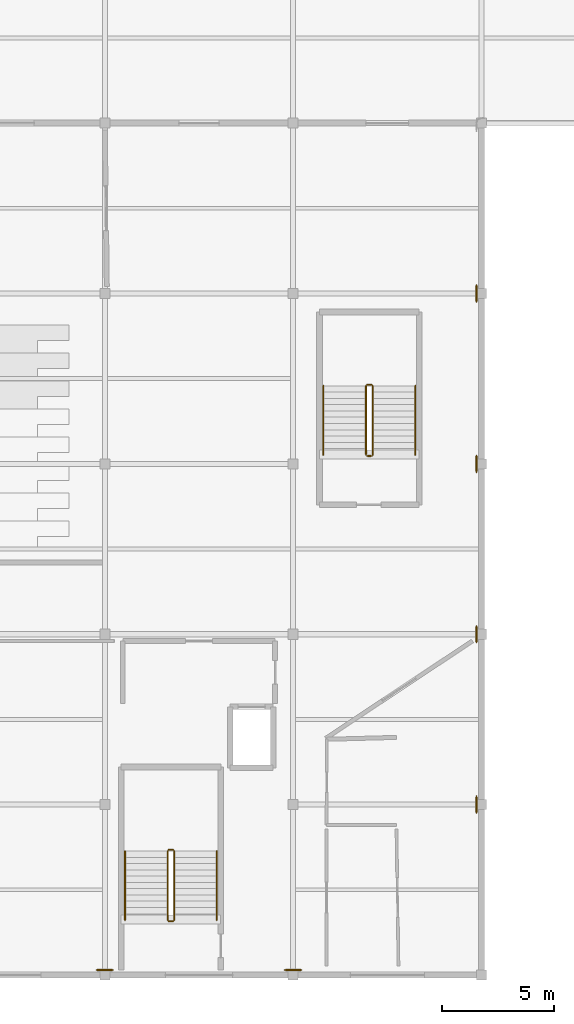
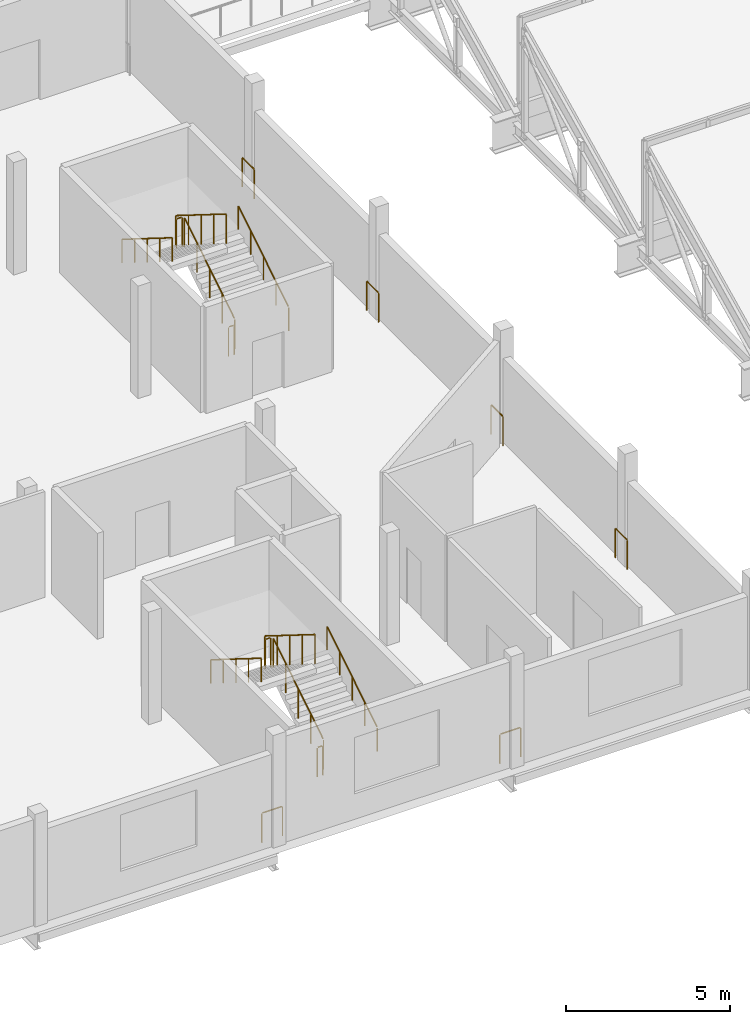
# One storey, part 56 of 57: 18 railings.
"""IFC4 building model written with IfcOpenShell, lengths in metres."""

from ifc_helpers import new_model, si_unit, direction, frame, origin, origin_2d, place, context, subcontext, project, spatial, circle, extrude, material, type_object, element, save


model = new_model("IFC4")

# Units and contexts
model_context = context("Model", 3, precision=1e-05, world=origin(), true_north=direction((0.0, 1.0)))
body_context = subcontext(model_context, "Body", "Model", "MODEL_VIEW")
ifc_project = project(units=[si_unit("LENGTHUNIT", "METRE"), si_unit("AREAUNIT", "SQUARE_METRE"), si_unit("VOLUMEUNIT", "CUBIC_METRE"), si_unit("PLANEANGLEUNIT", "RADIAN"), si_unit("MASSUNIT", "GRAM", prefix="KILO")], contexts=[model_context])

# Site, building, storey
site_placement = place(None, origin())
site = spatial("IfcSite", under=ifc_project, at=site_placement, CompositionType="ELEMENT")
building_placement = place(site_placement, origin())
building = spatial("IfcBuilding", under=site, at=building_placement, Name="Zuvorla Pavilion Media Centre", CompositionType="ELEMENT")
storey_placement = place(building_placement, frame((0.0, 0.0, 18.0)))
storey = spatial("IfcBuildingStorey", under=building, at=storey_placement, Name="L04", CompositionType="ELEMENT", Elevation=18.0)

# Railings
ifc_material_1 = material(Name="Powder-coated steel balustrade guard", Category="steel")
railing_type_1 = type_object("IfcRailingType", Name="RL-INT-GRD", PredefinedType="BALUSTRADE", material=ifc_material_1)
railing_1_placement = place(storey_placement, frame((95.10009765625, 8.449951171875, 0.175048828125)))
element("IfcRailing", 1, at=railing_1_placement, inside=storey, type_object=railing_type_1, Name="L04 ST-02 stair guard 1", PredefinedType="BALUSTRADE", context=body_context, shape_type="SweptSolid", body=[
    extrude(circle(Radius=0.02392578125, at=origin_2d()), frame((0.0, 0.0244140625, 1.111328125), z_axis=(0.0, 0.847998304005, 0.529998940003), x_axis=(-1.0, 0.0, 0.0)), (0.0, 0.0, 1.0), 3.574462890625),
    extrude(circle(Radius=0.02099609375, at=origin_2d()), origin(), (0.0, 0.0, 1.0), 1.070068359375),
    extrude(circle(Radius=0.02099609375, at=origin_2d()), frame((0.0, 0.77001953125, 0.481201171875)), (0.0, 0.0, 1.0), 1.070068359375),
    extrude(circle(Radius=0.02099609375, at=origin_2d()), frame((0.0, 1.5400390625, 0.96240234375)), (0.0, 0.0, 1.0), 1.070068359375),
    extrude(circle(Radius=0.02099609375, at=origin_2d()), frame((0.0, 2.31005859375, 1.44384765625)), (0.0, 0.0, 1.0), 1.070068359375),
    extrude(circle(Radius=0.02099609375, at=origin_2d()), frame((0.0, 3.080078125, 1.925048828125)), (0.0, 0.0, 1.0), 1.070068359375),
])
railing_2_placement = place(storey_placement, frame((95.050048828125, 11.580078125, 2.10009765625)))
element("IfcRailing", 2, at=railing_2_placement, inside=storey, type_object=railing_type_1, Name="L04 ST-02 stair guard 2", PredefinedType="BALUSTRADE", context=body_context, shape_type="SweptSolid", body=[
    extrude(circle(Radius=0.02392578125, at=origin_2d()), frame((-0.02880859375, 0.0, 1.09619140625), z_axis=(-1.0, 0.0, 0.0), x_axis=(0.0, -1.0, 0.0)), (0.0, 0.0, 1.0), 0.142333984375),
    extrude(circle(Radius=0.02099609375, at=origin_2d()), origin(), (0.0, 0.0, 1.0), 1.070068359375),
    extrude(circle(Radius=0.02099609375, at=origin_2d()), frame((-0.199951171875, 0.0, 0.0)), (0.0, 0.0, 1.0), 1.070068359375),
])
railing_3_placement = place(storey_placement, frame((94.800048828125, 11.530029296875, 2.27490234375)))
element("IfcRailing", 3, at=railing_3_placement, inside=storey, type_object=railing_type_1, Name="L04 ST-02 stair guard 3", PredefinedType="BALUSTRADE", context=body_context, shape_type="SweptSolid", body=[
    extrude(circle(Radius=0.02392578125, at=origin_2d()), frame((0.0, -0.0244140625, 1.111328125), z_axis=(0.0, -0.847998304005, 0.529998940003), x_axis=(1.0, 0.0, 0.0)), (0.0, 0.0, 1.0), 3.574462890625),
    extrude(circle(Radius=0.02099609375, at=origin_2d()), origin(), (0.0, 0.0, 1.0), 1.070068359375),
    extrude(circle(Radius=0.02099609375, at=origin_2d()), frame((0.0, -0.77001953125, 0.481201171875)), (0.0, 0.0, 1.0), 1.070068359375),
    extrude(circle(Radius=0.02099609375, at=origin_2d()), frame((0.0, -1.5400390625, 0.96240234375)), (0.0, 0.0, 1.0), 1.070068359375),
    extrude(circle(Radius=0.02099609375, at=origin_2d()), frame((0.0, -2.31005859375, 1.44384765625)), (0.0, 0.0, 1.0), 1.070068359375),
    extrude(circle(Radius=0.02099609375, at=origin_2d()), frame((0.0, -3.080078125, 1.925048828125)), (0.0, 0.0, 1.0), 1.070068359375),
])
railing_4_placement = place(storey_placement, frame((95.050048828125, 8.39990234375, 0.0)))
element("IfcRailing", 4, at=railing_4_placement, inside=storey, type_object=railing_type_1, Name="L04 ST-02 stair guard 4", PredefinedType="BALUSTRADE", context=body_context, shape_type="SweptSolid", body=[
    extrude(circle(Radius=0.02392578125, at=origin_2d()), frame((-0.02880859375, 0.0, 1.09619140625), z_axis=(-1.0, 0.0, 0.0), x_axis=(0.0, -1.0, 0.0)), (0.0, 0.0, 1.0), 0.142333984375),
    extrude(circle(Radius=0.02099609375, at=origin_2d()), origin(), (0.0, 0.0, 1.0), 1.070068359375),
    extrude(circle(Radius=0.02099609375, at=origin_2d()), frame((-0.199951171875, 0.0, 0.0)), (0.0, 0.0, 1.0), 1.070068359375),
])
railing_5_placement = place(storey_placement, frame((103.949951171875, 29.199951171875, 0.175048828125)))
element("IfcRailing", 5, at=railing_5_placement, inside=storey, type_object=railing_type_1, Name="L04 ST-04 stair guard 1", PredefinedType="BALUSTRADE", context=body_context, shape_type="SweptSolid", body=[
    extrude(circle(Radius=0.02392578125, at=origin_2d()), frame((0.0, 0.0244140625, 1.111328125), z_axis=(0.0, 0.847998304005, 0.529998940003), x_axis=(-1.0, 0.0, 0.0)), (0.0, 0.0, 1.0), 3.574462890625),
    extrude(circle(Radius=0.02099609375, at=origin_2d()), origin(), (0.0, 0.0, 1.0), 1.070068359375),
    extrude(circle(Radius=0.02099609375, at=origin_2d()), frame((0.0, 0.77001953125, 0.481201171875)), (0.0, 0.0, 1.0), 1.070068359375),
    extrude(circle(Radius=0.02099609375, at=origin_2d()), frame((0.0, 1.5400390625, 0.96240234375)), (0.0, 0.0, 1.0), 1.070068359375),
    extrude(circle(Radius=0.02099609375, at=origin_2d()), frame((0.0, 2.31005859375, 1.44384765625)), (0.0, 0.0, 1.0), 1.070068359375),
    extrude(circle(Radius=0.02099609375, at=origin_2d()), frame((0.0, 3.080078125, 1.925048828125)), (0.0, 0.0, 1.0), 1.070068359375),
])
railing_6_placement = place(storey_placement, frame((103.89990234375, 32.330078125, 2.10009765625)))
element("IfcRailing", 6, at=railing_6_placement, inside=storey, type_object=railing_type_1, Name="L04 ST-04 stair guard 2", PredefinedType="BALUSTRADE", context=body_context, shape_type="SweptSolid", body=[
    extrude(circle(Radius=0.02392578125, at=origin_2d()), frame((-0.02880859375, 0.0, 1.09619140625), z_axis=(-1.0, 0.0, 0.0), x_axis=(0.0, -1.0, 0.0)), (0.0, 0.0, 1.0), 0.142333984375),
    extrude(circle(Radius=0.02099609375, at=origin_2d()), origin(), (0.0, 0.0, 1.0), 1.070068359375),
    extrude(circle(Radius=0.02099609375, at=origin_2d()), frame((-0.199951171875, 0.0, 0.0)), (0.0, 0.0, 1.0), 1.070068359375),
])
railing_7_placement = place(storey_placement, frame((103.64990234375, 32.280029296875, 2.27490234375)))
element("IfcRailing", 7, at=railing_7_placement, inside=storey, type_object=railing_type_1, Name="L04 ST-04 stair guard 3", PredefinedType="BALUSTRADE", context=body_context, shape_type="SweptSolid", body=[
    extrude(circle(Radius=0.02392578125, at=origin_2d()), frame((0.0, -0.0244140625, 1.111328125), z_axis=(0.0, -0.847998304005, 0.529998940003), x_axis=(1.0, 0.0, 0.0)), (0.0, 0.0, 1.0), 3.574462890625),
    extrude(circle(Radius=0.02099609375, at=origin_2d()), origin(), (0.0, 0.0, 1.0), 1.070068359375),
    extrude(circle(Radius=0.02099609375, at=origin_2d()), frame((0.0, -0.77001953125, 0.481201171875)), (0.0, 0.0, 1.0), 1.070068359375),
    extrude(circle(Radius=0.02099609375, at=origin_2d()), frame((0.0, -1.5400390625, 0.96240234375)), (0.0, 0.0, 1.0), 1.070068359375),
    extrude(circle(Radius=0.02099609375, at=origin_2d()), frame((0.0, -2.31005859375, 1.44384765625)), (0.0, 0.0, 1.0), 1.070068359375),
    extrude(circle(Radius=0.02099609375, at=origin_2d()), frame((0.0, -3.080078125, 1.925048828125)), (0.0, 0.0, 1.0), 1.070068359375),
])
railing_8_placement = place(storey_placement, frame((103.89990234375, 29.14990234375, 0.0)))
element("IfcRailing", 8, at=railing_8_placement, inside=storey, type_object=railing_type_1, Name="L04 ST-04 stair guard 4", PredefinedType="BALUSTRADE", context=body_context, shape_type="SweptSolid", body=[
    extrude(circle(Radius=0.02392578125, at=origin_2d()), frame((-0.02880859375, 0.0, 1.09619140625), z_axis=(-1.0, 0.0, 0.0), x_axis=(0.0, -1.0, 0.0)), (0.0, 0.0, 1.0), 0.142333984375),
    extrude(circle(Radius=0.02099609375, at=origin_2d()), origin(), (0.0, 0.0, 1.0), 1.070068359375),
    extrude(circle(Radius=0.02099609375, at=origin_2d()), frame((-0.199951171875, 0.0, 0.0)), (0.0, 0.0, 1.0), 1.070068359375),
])
for number, where, name in (
    (9, (108.580078125, 36.764892578125, 0.0), "L04 slab edge guard 119"),
    (10, (108.580078125, 29.1650390625, 0.0), "L04 slab edge guard 120"),
    (11, (108.580078125, 21.56494140625, 0.0), "L04 slab edge guard 121"),
    (12, (108.580078125, 13.965087890625, 0.0), "L04 slab edge guard 122"),
):
    element("IfcRailing", number, at=place(storey_placement, frame(where)), inside=storey, type_object=railing_type_1, Name=name, PredefinedType="BALUSTRADE", context=body_context, shape_type="SweptSolid", body=[
        extrude(circle(Radius=0.02392578125, at=origin_2d()), frame((0.0, -0.02880859375, 1.09619140625), z_axis=(0.0, -1.0, 0.0), x_axis=(1.0, 0.0, 0.0)), (0.0, 0.0, 1.0), 0.67236328125),
        extrude(circle(Radius=0.02099609375, at=origin_2d()), origin(), (0.0, 0.0, 1.0), 1.070068359375),
        extrude(circle(Radius=0.02099609375, at=origin_2d()), frame((0.0, -0.72998046875, 0.0)), (0.0, 0.0, 1.0), 1.070068359375),
    ])
for number, where, name in (
    (13, (100.764892578125, 6.219970703125, 0.0), "L04 slab edge guard 123"),
    (14, (92.364990234375, 6.219970703125, 0.0), "L04 slab edge guard 124"),
):
    element("IfcRailing", number, at=place(storey_placement, frame(where)), inside=storey, type_object=railing_type_1, Name=name, PredefinedType="BALUSTRADE", context=body_context, shape_type="SweptSolid", body=[
        extrude(circle(Radius=0.02392578125, at=origin_2d()), frame((-0.02880859375, 0.0, 1.09619140625), z_axis=(-1.0, 0.0, 0.0), x_axis=(0.0, -1.0, 0.0)), (0.0, 0.0, 1.0), 0.67236328125),
        extrude(circle(Radius=0.02099609375, at=origin_2d()), origin(), (0.0, 0.0, 1.0), 1.070068359375),
        extrude(circle(Radius=0.02099609375, at=origin_2d()), frame((-0.72998046875, 0.0, 0.0)), (0.0, 0.0, 1.0), 1.070068359375),
    ])
ifc_material_2 = material(Name="Brushed stainless steel tubular handrail", Category="steel")
railing_type_2 = type_object("IfcRailingType", Name="RL-INT-HND", PredefinedType="HANDRAIL", material=ifc_material_2)
railing_9_placement = place(storey_placement, frame((97.0, 8.449951171875, 0.175048828125)))
element("IfcRailing", 15, at=railing_9_placement, inside=storey, type_object=railing_type_2, Name="L04 ST-02 handrail 1", PredefinedType="HANDRAIL", context=body_context, shape_type="SweptSolid", body=[
    extrude(circle(Radius=0.02392578125, at=origin_2d()), frame((0.0, 0.0244140625, 0.89111328125), z_axis=(0.0, 0.847998304005, 0.529998940003), x_axis=(-1.0, 0.0, 0.0)), (0.0, 0.0, 1.0), 3.574462890625),
    extrude(circle(Radius=0.02099609375, at=origin_2d()), origin(), (0.0, 0.0, 1.0), 0.849853515625),
    extrude(circle(Radius=0.02099609375, at=origin_2d()), frame((0.0, 0.77001953125, 0.481201171875)), (0.0, 0.0, 1.0), 0.849853515625),
    extrude(circle(Radius=0.02099609375, at=origin_2d()), frame((0.0, 1.5400390625, 0.96240234375)), (0.0, 0.0, 1.0), 0.849853515625),
    extrude(circle(Radius=0.02099609375, at=origin_2d()), frame((0.0, 2.31005859375, 1.44384765625)), (0.0, 0.0, 1.0), 0.849853515625),
    extrude(circle(Radius=0.02099609375, at=origin_2d()), frame((0.0, 3.080078125, 1.925048828125)), (0.0, 0.0, 1.0), 0.849853515625),
])
railing_10_placement = place(storey_placement, frame((92.89990234375, 11.530029296875, 2.27490234375)))
element("IfcRailing", 16, at=railing_10_placement, inside=storey, type_object=railing_type_2, Name="L04 ST-02 handrail 2", PredefinedType="HANDRAIL", context=body_context, shape_type="SweptSolid", body=[
    extrude(circle(Radius=0.02392578125, at=origin_2d()), frame((0.0, -0.0244140625, 0.89111328125), z_axis=(0.0, -0.847998304005, 0.529998940003), x_axis=(1.0, 0.0, 0.0)), (0.0, 0.0, 1.0), 3.574462890625),
    extrude(circle(Radius=0.02099609375, at=origin_2d()), origin(), (0.0, 0.0, 1.0), 0.849853515625),
    extrude(circle(Radius=0.02099609375, at=origin_2d()), frame((0.0, -0.77001953125, 0.481201171875)), (0.0, 0.0, 1.0), 0.849853515625),
    extrude(circle(Radius=0.02099609375, at=origin_2d()), frame((0.0, -1.5400390625, 0.96240234375)), (0.0, 0.0, 1.0), 0.849853515625),
    extrude(circle(Radius=0.02099609375, at=origin_2d()), frame((0.0, -2.31005859375, 1.44384765625)), (0.0, 0.0, 1.0), 0.849853515625),
    extrude(circle(Radius=0.02099609375, at=origin_2d()), frame((0.0, -3.080078125, 1.925048828125)), (0.0, 0.0, 1.0), 0.849853515625),
])
railing_11_placement = place(storey_placement, frame((105.85009765625, 29.199951171875, 0.175048828125)))
element("IfcRailing", 17, at=railing_11_placement, inside=storey, type_object=railing_type_2, Name="L04 ST-04 handrail 1", PredefinedType="HANDRAIL", context=body_context, shape_type="SweptSolid", body=[
    extrude(circle(Radius=0.02392578125, at=origin_2d()), frame((0.0, 0.0244140625, 0.89111328125), z_axis=(0.0, 0.847998304005, 0.529998940003), x_axis=(-1.0, 0.0, 0.0)), (0.0, 0.0, 1.0), 3.574462890625),
    extrude(circle(Radius=0.02099609375, at=origin_2d()), origin(), (0.0, 0.0, 1.0), 0.849853515625),
    extrude(circle(Radius=0.02099609375, at=origin_2d()), frame((0.0, 0.77001953125, 0.481201171875)), (0.0, 0.0, 1.0), 0.849853515625),
    extrude(circle(Radius=0.02099609375, at=origin_2d()), frame((0.0, 1.5400390625, 0.96240234375)), (0.0, 0.0, 1.0), 0.849853515625),
    extrude(circle(Radius=0.02099609375, at=origin_2d()), frame((0.0, 2.31005859375, 1.44384765625)), (0.0, 0.0, 1.0), 0.849853515625),
    extrude(circle(Radius=0.02099609375, at=origin_2d()), frame((0.0, 3.080078125, 1.925048828125)), (0.0, 0.0, 1.0), 0.849853515625),
])
railing_12_placement = place(storey_placement, frame((101.75, 32.280029296875, 2.27490234375)))
element("IfcRailing", 18, at=railing_12_placement, inside=storey, type_object=railing_type_2, Name="L04 ST-04 handrail 2", PredefinedType="HANDRAIL", context=body_context, shape_type="SweptSolid", body=[
    extrude(circle(Radius=0.02392578125, at=origin_2d()), frame((0.0, -0.0244140625, 0.89111328125), z_axis=(0.0, -0.847998304005, 0.529998940003), x_axis=(1.0, 0.0, 0.0)), (0.0, 0.0, 1.0), 3.574462890625),
    extrude(circle(Radius=0.02099609375, at=origin_2d()), origin(), (0.0, 0.0, 1.0), 0.849853515625),
    extrude(circle(Radius=0.02099609375, at=origin_2d()), frame((0.0, -0.77001953125, 0.481201171875)), (0.0, 0.0, 1.0), 0.849853515625),
    extrude(circle(Radius=0.02099609375, at=origin_2d()), frame((0.0, -1.5400390625, 0.96240234375)), (0.0, 0.0, 1.0), 0.849853515625),
    extrude(circle(Radius=0.02099609375, at=origin_2d()), frame((0.0, -2.31005859375, 1.44384765625)), (0.0, 0.0, 1.0), 0.849853515625),
    extrude(circle(Radius=0.02099609375, at=origin_2d()), frame((0.0, -3.080078125, 1.925048828125)), (0.0, 0.0, 1.0), 0.849853515625),
])

save(model, "model.ifc")
